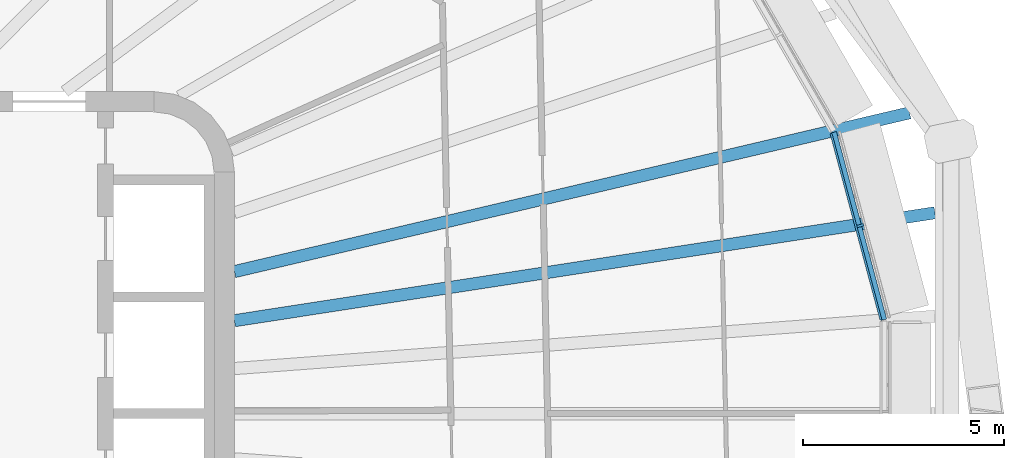
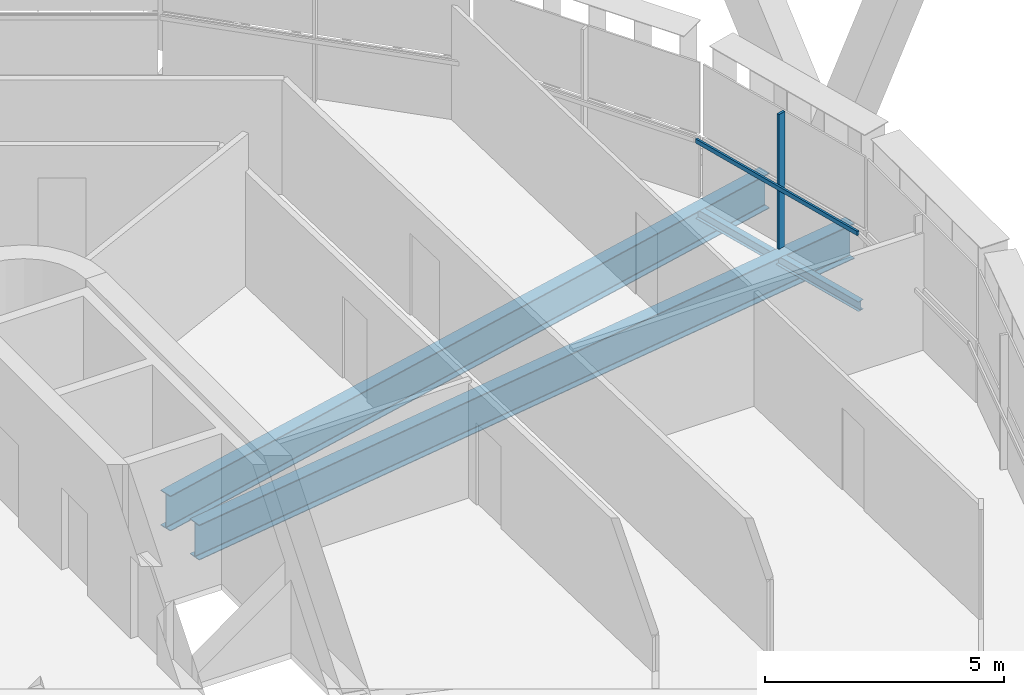
# One storey, part 6 of 25: 3 beams, 2 members, 1 element without a shape of its own.
"""IFC4 building model written with IfcOpenShell, lengths in metres."""

from ifc_helpers import new_model, si_unit, direction, frame, origin, origin_2d, place, context, subcontext, project, spatial, rectangle, i_section, extrude, material, layer, layer_set, material_profile, profile_set, type_object, element, aggregate, save


model = new_model("IFC4")

# Units and contexts
model_context = context("Model", 3, precision=1e-05, world=origin(), true_north=direction((0.0, 1.0)))
body_context = subcontext(model_context, "Body", "Model", "MODEL_VIEW")
ifc_project = project(units=[si_unit("LENGTHUNIT", "METRE"), si_unit("AREAUNIT", "SQUARE_METRE"), si_unit("VOLUMEUNIT", "CUBIC_METRE"), si_unit("PLANEANGLEUNIT", "RADIAN"), si_unit("MASSUNIT", "GRAM", prefix="KILO")], contexts=[model_context])

# Site, building, storey
site_placement = place(None, origin())
site = spatial("IfcSite", under=ifc_project, at=site_placement, CompositionType="ELEMENT")
building_placement = place(site_placement, origin())
building = spatial("IfcBuilding", under=site, at=building_placement, Name="Sahrelin Media Tower", CompositionType="ELEMENT")
storey_placement = place(building_placement, frame((0.0, 0.0, 165.60009765625)))
storey = spatial("IfcBuildingStorey", under=building, at=storey_placement, Name="L34", CompositionType="ELEMENT", Elevation=165.60009765625)

# Beam
ifc_material_1 = material(Name="Steel S355", Category="steel")
ifc_material_profile_1 = material_profile(ifc_material_1, i_section(OverallWidth=0.14599609375, OverallDepth=0.25146484375, WebThickness=0.006103515625, FlangeThickness=0.008544921875, FilletRadius=0.007568359375, at=origin_2d()), Name="UB 254x146x31")
ifc_profile_set_1 = profile_set([ifc_material_profile_1], Name="Steel S355")
beam_type_1 = type_object("IfcBeamType", Name="Edge beam EB1", PredefinedType="BEAM", material=ifc_profile_set_1)
beam_1_placement = place(storey_placement, frame((29.8828125, 6.98876953125, -0.27587890625), z_axis=(0.258778273705, -0.96593675003, 0.0), x_axis=(0.96593675003, 0.258778273705, 0.0)))
element("IfcBeam", 1, at=beam_1_placement, inside=storey, type_object=beam_type_1, Name="Edge beam L34-24", PredefinedType="BEAM", context=body_context, shape_type="SweptSolid", body=[
    extrude(i_section(OverallWidth=0.14599609375, OverallDepth=0.25146484375, WebThickness=0.006103515625, FlangeThickness=0.008544921875, FilletRadius=0.007568359375, at=origin_2d()), origin(), (0.0, 0.0, 1.0), 4.821044921875),
])

# Curtain wall, member
ifc_material_2 = material(Name="Champagne anodised aluminium 6063-T6", Category="aluminium")
ifc_layer = layer(ifc_material_2, 0.14990234375)
ifc_layer_set = layer_set([ifc_layer], Name="Tower ribbon curtain wall")
curtain_wall_type = type_object("IfcCurtainWallType", Name="Tower ribbon curtain wall", PredefinedType="NOTDEFINED", material=ifc_layer_set)
curtain_wall_placement = place(storey_placement, frame((30.6513671875, 4.69921875, 0.0), z_axis=(0.0, 0.0, 1.0), x_axis=(1.0, 0.0, 0.0)))
curtain_wall = element("IfcCurtainWall", 2, at=curtain_wall_placement, inside=storey, type_object=curtain_wall_type, Name="L34:CW:L34-01", PredefinedType="NOTDEFINED")
ifc_material_profile_2 = material_profile(ifc_material_2, rectangle(XDim=0.06005859375, YDim=0.175048828125, at=origin_2d()), Name="Mullion 60x175")
ifc_profile_set_2 = profile_set([ifc_material_profile_2], Name="Champagne anodised aluminium 6063-T6")
member_type_1 = type_object("IfcMemberType", Name="Mullion 60x175 CW1B", PredefinedType="MULLION", material=ifc_profile_set_2)
member_1_placement = place(storey_placement, frame((30.547607421875, 4.67138671875, 0.0), z_axis=(0.0, 0.0, 1.0), x_axis=(-0.258813987523, 0.965927181449, 0.0)))
member_1 = element("IfcMember", 3, at=member_1_placement, type_object=member_type_1, Name="L34:CWM:L34-01", PredefinedType="MULLION", context=body_context, shape_type="SweptSolid", body=[
    extrude(rectangle(XDim=0.06005859375, YDim=0.175048828125, at=origin_2d()), origin(), (0.0, 0.0, 1.0), 3.448486328125),
])

# Beams
ifc_material_profile_3 = material_profile(ifc_material_1, i_section(OverallWidth=0.30322265625, OverallDepth=0.903076171875, WebThickness=0.01513671875, FlangeThickness=0.020263671875, FilletRadius=0.01904296875, at=origin_2d()), Name="UB 914x305x201")
ifc_profile_set_3 = profile_set([ifc_material_profile_3], Name="Steel S355")
beam_type_2 = type_object("IfcBeamType", Name="Radial primary beam PB11", PredefinedType="BEAM", material=ifc_profile_set_3)
beam_2_placement = place(storey_placement, frame((15.0, 3.5283203125, -0.6015625), z_axis=(0.973436681, 0.228956389045, 0.0), x_axis=(-0.228956389045, 0.973436681, 0.0)))
element("IfcBeam", 4, at=beam_2_placement, inside=storey, type_object=beam_type_2, Name="Radial beam L34-02", PredefinedType="BEAM", context=body_context, shape_type="SweptSolid", body=[
    extrude(i_section(OverallWidth=0.30322265625, OverallDepth=0.903076171875, WebThickness=0.01513671875, FlangeThickness=0.020263671875, FilletRadius=0.01904296875, at=origin_2d()), origin(), (0.0, 0.0, 1.0), 17.226318359375),
])
ifc_material_profile_4 = material_profile(ifc_material_1, i_section(OverallWidth=0.30322265625, OverallDepth=0.903076171875, WebThickness=0.01513671875, FlangeThickness=0.020263671875, FilletRadius=0.01904296875, at=origin_2d()), Name="UB 914x305x201")
ifc_profile_set_4 = profile_set([ifc_material_profile_4], Name="Steel S355")
beam_type_3 = type_object("IfcBeamType", Name="Radial secondary beam SB11", PredefinedType="BEAM", material=ifc_profile_set_4)
beam_3_placement = place(storey_placement, frame((15.0, 2.31005859375, -0.6015625), z_axis=(0.988349401934, 0.152202035784, 0.0), x_axis=(-0.152202035784, 0.988349401934, 0.0)))
element("IfcBeam", 5, at=beam_3_placement, inside=storey, type_object=beam_type_3, Name="Secondary beam L34-01", PredefinedType="BEAM", context=body_context, shape_type="SweptSolid", body=[
    extrude(i_section(OverallWidth=0.30322265625, OverallDepth=0.903076171875, WebThickness=0.01513671875, FlangeThickness=0.020263671875, FilletRadius=0.01904296875, at=origin_2d()), origin(), (0.0, 0.0, 1.0), 17.6044921875),
])

# Member
ifc_material_profile_5 = material_profile(ifc_material_2, rectangle(XDim=0.050048828125, YDim=0.110107421875, at=origin_2d()), Name="Transom 50x110")
ifc_profile_set_5 = profile_set([ifc_material_profile_5], Name="Champagne anodised aluminium 6063-T6")
member_type_2 = type_object("IfcMemberType", Name="Transom 50x110 CW1B", PredefinedType="USERDEFINED", material=ifc_profile_set_5)
member_2_placement = place(storey_placement, frame((31.058837890625, 2.3291015625, 1.599853515625), z_axis=(-0.258836299126, 0.965921202922, 0.0), x_axis=(-0.965921202922, -0.258836299126, 0.0)))
member_2 = element("IfcMember", 6, at=member_2_placement, type_object=member_type_2, Name="L34:CWT:L34-01", ObjectType="TRANSOM", PredefinedType="USERDEFINED", context=body_context, shape_type="SweptSolid", body=[
    extrude(rectangle(XDim=0.050048828125, YDim=0.110107421875, at=origin_2d()), origin(), (0.0, 0.0, 1.0), 4.789794921875),
])

aggregate(curtain_wall, [member_1, member_2])

save(model, "model.ifc")
